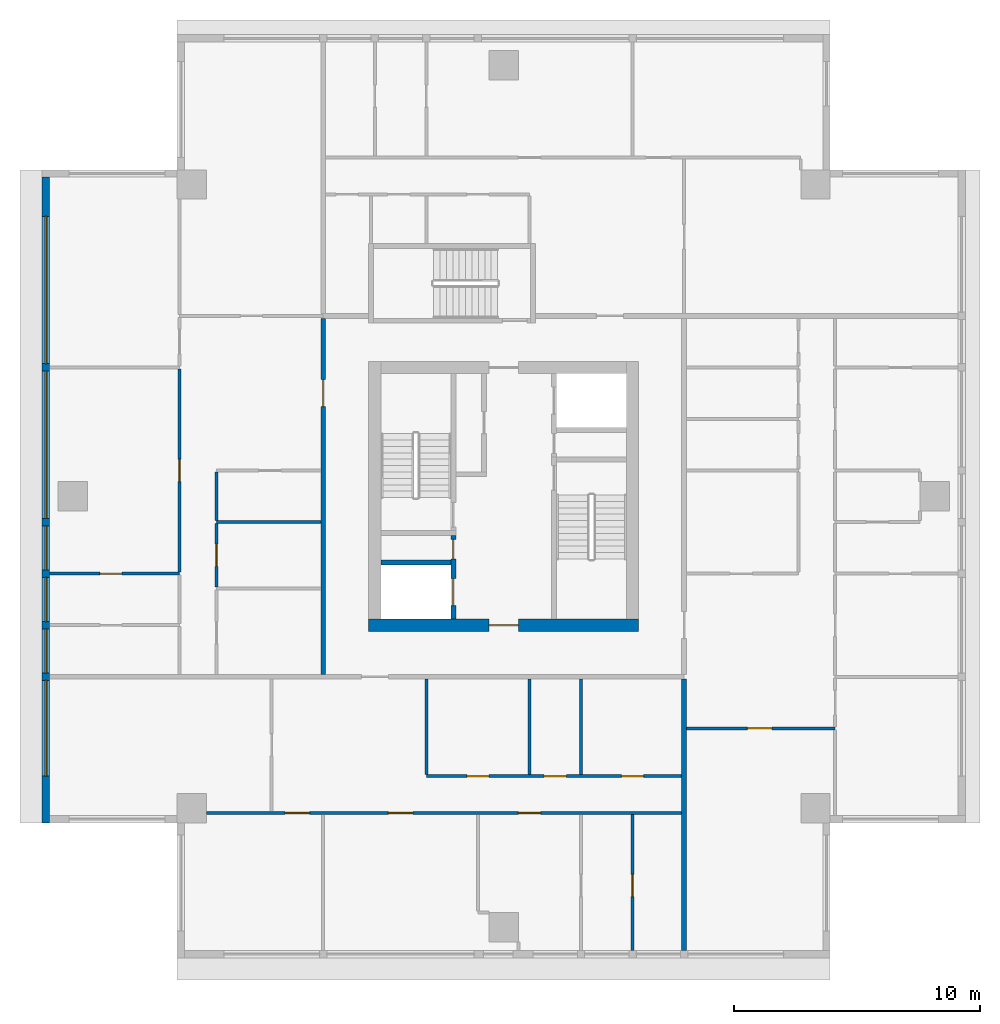
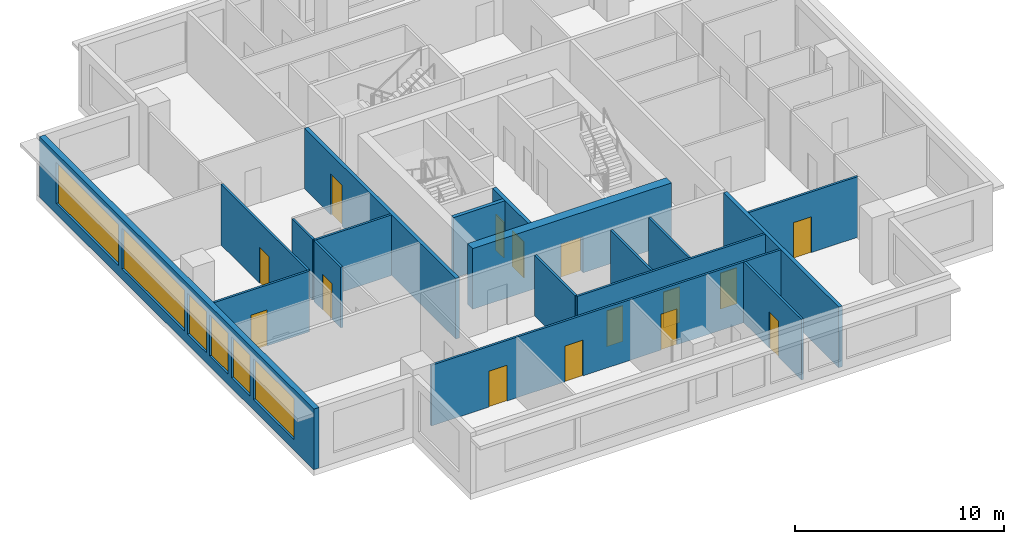
# One storey, part 2 of 8: 18 walls, 15 doors, 6 windows, 21 openings.
"""IFC4 building model written with IfcOpenShell, lengths in metres."""

from ifc_helpers import new_model, si_unit, direction, frame, frame_2d, origin, place, context, subcontext, project, spatial, rectangle, extrude, material, layer, layer_set, type_object, element, fill, save


model = new_model("IFC4")

# Units and contexts
model_context = context("Model", 3, precision=1e-05, world=origin(), true_north=direction((0.0, 1.0)))
body_context = subcontext(model_context, "Body", "Model", "MODEL_VIEW")
ifc_project = project(units=[si_unit("LENGTHUNIT", "METRE"), si_unit("AREAUNIT", "SQUARE_METRE"), si_unit("VOLUMEUNIT", "CUBIC_METRE"), si_unit("PLANEANGLEUNIT", "RADIAN"), si_unit("MASSUNIT", "GRAM", prefix="KILO")], contexts=[model_context])

# Site, building, storey
site_placement = place(None, origin())
site = spatial("IfcSite", under=ifc_project, at=site_placement, CompositionType="ELEMENT")
building_placement = place(site_placement, origin())
building = spatial("IfcBuilding", under=site, at=building_placement, Name="Khepri Terraces", CompositionType="ELEMENT")
storey_placement = place(building_placement, frame((0.0, 0.0, 304.5)))
storey = spatial("IfcBuildingStorey", under=building, at=storey_placement, Name="L73", CompositionType="ELEMENT", Elevation=304.5)

# Wall, openings, doors
ifc_material_1 = material(Name="Concrete C40/50", Category="concrete")
ifc_layer_1 = layer(ifc_material_1, 0.199951171875, Name="Concrete C40/50", Category="concrete")
ifc_layer_set_1 = layer_set([ifc_layer_1], Name="Concrete C40/50")
wall_type_1 = type_object("IfcWallType", Name="Core wall 200 C40/50", PredefinedType="SHEAR", material=ifc_layer_set_1)
wall_1_placement = place(storey_placement, frame((-2.050048828125, -5.0, 0.0), z_axis=(0.0, 0.0, 1.0), x_axis=(0.0, 1.0, 0.0)))
wall_1 = element("IfcWall", 1, at=wall_1_placement, inside=storey, type_object=wall_type_1, Name="Core wall SH01 L73", PredefinedType="SHEAR", context=body_context, shape_type="SweptSolid", body=[
    extrude(rectangle(XDim=3.39990234375, YDim=0.199951171875, at=frame_2d((1.699951171875, 0.0))), origin(), (0.0, 0.0, 1.0), 3.550048828125),
])
opening_1_placement = place(wall_1_placement, frame((0.550048828125, 0.0, 0.0)))
opening_1 = element("IfcOpeningElement", 2, at=opening_1_placement, cuts=wall_1, Name="Opening L73-C02", PredefinedType="OPENING", context=body_context, shape_type="SweptSolid", body=[
    extrude(rectangle(XDim=1.10009765625, YDim=2.10009765625, at=frame_2d((0.550048828125, 1.050048828125))), frame((0.0, 0.10986328125, 0.0), z_axis=(0.0, -1.0, 0.0), x_axis=(1.0, 0.0, 0.0)), (0.0, 0.0, 1.0), 0.219970703125),
])
opening_2_placement = place(wall_1_placement, frame((2.449951171875, 0.0, 0.0)))
opening_2 = element("IfcOpeningElement", 3, at=opening_2_placement, cuts=wall_1, Name="Opening L73-C06", PredefinedType="OPENING", context=body_context, shape_type="SweptSolid", body=[
    extrude(rectangle(XDim=0.800048828125, YDim=2.10009765625, at=frame_2d((0.39990234375, 1.050048828125))), frame((0.0, 0.10986328125, 0.0), z_axis=(0.0, -1.0, 0.0), x_axis=(1.0, 0.0, 0.0)), (0.0, 0.0, 1.0), 0.219970703125),
])
ifc_material_2 = material(Name="Stainless steel 304", Category="steel")
door_type_1 = type_object("IfcDoorType", Name="DR-CORE-FF-LANDING-1100", OperationType="NOTDEFINED", PredefinedType="DOOR", material=ifc_material_2)
door_1_placement = place(opening_1_placement, origin())
door_1 = element("IfcDoor", 4, at=door_1_placement, inside=storey, type_object=door_type_1, Name="Firefighting lift landing door L73-C02", OperationType="SLIDING_TO_LEFT", OverallHeight=2.10009765625, OverallWidth=1.10009765625, PredefinedType="DOOR", context=body_context, shape_type="SweptSolid", body=[
    extrude(rectangle(XDim=1.10009765625, YDim=2.10009765625, at=frame_2d((0.550048828125, 1.050048828125))), frame((0.0, 0.02490234375, 0.0), z_axis=(0.0, -1.0, 0.0), x_axis=(1.0, 0.0, 0.0)), (0.0, 0.0, 1.0), 0.050048828125),
])
fill(opening_1, door_1)
ifc_material_3 = material(Name="Painted steel", Category="steel")
door_type_2 = type_object("IfcDoorType", Name="DR-CORE-RISER-800", OperationType="NOTDEFINED", PredefinedType="DOOR", material=ifc_material_3)
door_2_placement = place(opening_2_placement, origin())
door_2 = element("IfcDoor", 5, at=door_2_placement, inside=storey, type_object=door_type_2, Name="Riser door L73-C06", OperationType="SINGLE_SWING_RIGHT", OverallHeight=2.10009765625, OverallWidth=0.800048828125, PredefinedType="DOOR", context=body_context, shape_type="SweptSolid", body=[
    extrude(rectangle(XDim=0.800048828125, YDim=2.10009765625, at=frame_2d((0.39990234375, 1.050048828125))), frame((0.0, 0.02490234375, 0.0), z_axis=(0.0, -1.0, 0.0), x_axis=(1.0, 0.0, 0.0)), (0.0, 0.0, 1.0), 0.050048828125),
])
fill(opening_2, door_2)

# Wall
wall_2_placement = place(storey_placement, frame((-5.0, -2.699951171875, 0.0), z_axis=(0.0, 0.0, 1.0), x_axis=(1.0, 0.0, 0.0)))
element("IfcWall", 6, at=wall_2_placement, inside=storey, type_object=wall_type_1, Name="Core wall SH02 L73", PredefinedType="SHEAR", context=body_context, shape_type="SweptSolid", body=[
    extrude(rectangle(XDim=2.85009765625, YDim=0.199951171875, at=frame_2d((1.425048828125, 0.0))), origin(), (0.0, 0.0, 1.0), 3.550048828125),
])

# Wall, opening, door
ifc_layer_2 = layer(ifc_material_1, 0.5, Name="Concrete C40/50", Category="concrete")
ifc_layer_set_2 = layer_set([ifc_layer_2], Name="Concrete C40/50")
wall_type_2 = type_object("IfcWallType", Name="Core wall 500 C40/50", PredefinedType="SHEAR", material=ifc_layer_set_2)
wall_3_placement = place(storey_placement, frame((-5.5, -5.25, 0.0), z_axis=(0.0, 0.0, 1.0), x_axis=(1.0, 0.0, 0.0)))
wall_3 = element("IfcWall", 7, at=wall_3_placement, inside=storey, type_object=wall_type_2, Name="Core wall BX01 L73", PredefinedType="SHEAR", context=body_context, shape_type="SweptSolid", body=[
    extrude(rectangle(XDim=11.0, YDim=0.5, at=frame_2d((5.5, 0.0))), origin(), (0.0, 0.0, 1.0), 3.550048828125),
])
opening_3_placement = place(wall_3_placement, frame((4.89990234375, 0.0, 0.0)))
opening_3 = element("IfcOpeningElement", 8, at=opening_3_placement, cuts=wall_3, Name="Opening L73-C10", PredefinedType="OPENING", context=body_context, shape_type="SweptSolid", body=[
    extrude(rectangle(XDim=1.199951171875, YDim=2.10009765625, at=frame_2d((0.60009765625, 1.050048828125))), frame((0.0, 0.260009765625, 0.0), z_axis=(0.0, -1.0, 0.0), x_axis=(1.0, 0.0, 0.0)), (0.0, 0.0, 1.0), 0.52001953125),
])
door_type_3 = type_object("IfcDoorType", Name="DR-CORE-FF-LOBBY-1200", OperationType="NOTDEFINED", PredefinedType="DOOR", material=ifc_material_3)
door_3_placement = place(opening_3_placement, frame((1.199951171875, 0.0, 0.0), z_axis=(0.0, 0.0, 1.0), x_axis=(-1.0, 0.0, 0.0)))
door_3 = element("IfcDoor", 9, at=door_3_placement, inside=storey, type_object=door_type_3, Name="Firefighting lobby door L73-C10", OperationType="SINGLE_SWING_LEFT", OverallHeight=2.10009765625, OverallWidth=1.199951171875, PredefinedType="DOOR", context=body_context, shape_type="SweptSolid", body=[
    extrude(rectangle(XDim=1.199951171875, YDim=2.10009765625, at=frame_2d((0.60009765625, 1.050048828125))), frame((0.0, 0.02490234375, 0.0), z_axis=(0.0, -1.0, 0.0), x_axis=(1.0, 0.0, 0.0)), (0.0, 0.0, 1.0), 0.050048828125),
])
fill(opening_3, door_3)

# Wall
ifc_material_4 = material(Name="Fire-rated gypsum plasterboard partition, mineral wool")
ifc_layer_3 = layer(ifc_material_4, 0.199951171875, Name="Fire-rated gypsum plasterboard partition, mineral wool")
ifc_layer_set_3 = layer_set([ifc_layer_3], Name="Fire-rated gypsum plasterboard partition, mineral wool")
wall_type_3 = type_object("IfcWallType", Name="WL-CORR-200", PredefinedType="PARTITIONING", material=ifc_layer_set_3)
wall_4_placement = place(storey_placement, frame((7.35009765625, -18.5, 0.0), z_axis=(0.0, 0.0, 1.0), x_axis=(0.0, 1.0, 0.0)))
element("IfcWall", 10, at=wall_4_placement, inside=storey, type_object=wall_type_3, Name="Partition P-005 L73", PredefinedType="PARTITIONING", context=body_context, shape_type="SweptSolid", body=[
    extrude(rectangle(XDim=11.050048828125, YDim=0.199951171875, at=frame_2d((5.52490234375, 0.0))), origin(), (0.0, 0.0, 1.0), 3.550048828125),
])

# Wall, opening, door
wall_5_placement = place(storey_placement, frame((-7.35009765625, -7.25, 0.0), z_axis=(0.0, 0.0, 1.0), x_axis=(0.0, 1.0, 0.0)))
wall_5 = element("IfcWall", 11, at=wall_5_placement, inside=storey, type_object=wall_type_3, Name="Partition P-022 L73", PredefinedType="PARTITIONING", context=body_context, shape_type="SweptSolid", body=[
    extrude(rectangle(XDim=14.5, YDim=0.199951171875, at=frame_2d((7.25, 0.0))), origin(), (0.0, 0.0, 1.0), 3.550048828125),
])
opening_4_placement = place(wall_5_placement, frame((10.89990234375, 0.0, 0.0)))
opening_4 = element("IfcOpeningElement", 12, at=opening_4_placement, cuts=wall_5, Name="Opening D1", PredefinedType="OPENING", context=body_context, shape_type="SweptSolid", body=[
    extrude(rectangle(XDim=1.10009765625, YDim=2.39990234375, at=frame_2d((0.550048828125, 1.199951171875))), frame((0.0, 0.10986328125, 0.0), z_axis=(0.0, -1.0, 0.0), x_axis=(1.0, 0.0, 0.0)), (0.0, 0.0, 1.0), 0.219970703125),
])
ifc_material_5 = material(Name="Solid-core timber door leaf, flat entrance door", Category="wood")
door_type_4 = type_object("IfcDoorType", Name="DR-ENT-1100", OperationType="NOTDEFINED", PredefinedType="DOOR", material=ifc_material_5)
door_4_placement = place(opening_4_placement, origin())
door_4 = element("IfcDoor", 13, at=door_4_placement, inside=storey, type_object=door_type_4, Name="Flat D1 entrance door", OperationType="SINGLE_SWING_RIGHT", OverallHeight=2.39990234375, OverallWidth=1.10009765625, PredefinedType="DOOR", context=body_context, shape_type="SweptSolid", body=[
    extrude(rectangle(XDim=1.10009765625, YDim=2.39990234375, at=frame_2d((0.550048828125, 1.199951171875))), frame((0.0, 0.02490234375, 0.0), z_axis=(0.0, -1.0, 0.0), x_axis=(1.0, 0.0, 0.0)), (0.0, 0.0, 1.0), 0.050048828125),
])
fill(opening_4, door_4)

# Wall, openings, windows
ifc_material_6 = material(Name="Precast concrete C50/60 warm stone", Category="masonry")
ifc_layer_4 = layer(ifc_material_6, 0.300048828125, Name="Precast concrete C50/60 warm stone", Category="masonry")
ifc_layer_set_4 = layer_set([ifc_layer_4], Name="Precast concrete C50/60 warm stone")
wall_type_4 = type_object("IfcWallType", Name="WL-EXT-PRECAST-300", PredefinedType="STANDARD", material=ifc_layer_set_4)
wall_6_placement = place(storey_placement, frame((-18.64990234375, 13.0, 0.0), z_axis=(0.0, 0.0, 1.0), x_axis=(0.0, -1.0, 0.0)))
wall_6 = element("IfcWall", 14, at=wall_6_placement, inside=storey, type_object=wall_type_4, Name="External wall L73 W", PredefinedType="STANDARD", context=body_context, shape_type="SweptSolid", body=[
    extrude(rectangle(XDim=26.300048828125, YDim=0.300048828125, at=frame_2d((13.14990234375, 0.0))), origin(), (0.0, 0.0, 1.0), 3.550048828125),
])
opening_5_placement = place(wall_6_placement, frame((1.60009765625, 0.0, 0.60009765625)))
opening_5 = element("IfcOpeningElement", 15, at=opening_5_placement, cuts=wall_6, Name="Opening WC3", PredefinedType="OPENING", context=body_context, shape_type="SweptSolid", body=[
    extrude(rectangle(XDim=6.0, YDim=2.39990234375, at=frame_2d((3.0, 1.199951171875))), frame((0.0, 0.16015625, 0.0), z_axis=(0.0, -1.0, 0.0), x_axis=(1.0, 0.0, 0.0)), (0.0, 0.0, 1.0), 0.320068359375),
])
opening_6_placement = place(wall_6_placement, frame((7.89990234375, 0.0, 0.60009765625)))
opening_6 = element("IfcOpeningElement", 16, at=opening_6_placement, cuts=wall_6, Name="Opening WC3", PredefinedType="OPENING", context=body_context, shape_type="SweptSolid", body=[
    extrude(rectangle(XDim=6.0, YDim=2.39990234375, at=frame_2d((3.0, 1.199951171875))), frame((0.0, 0.16015625, 0.0), z_axis=(0.0, -1.0, 0.0), x_axis=(1.0, 0.0, 0.0)), (0.0, 0.0, 1.0), 0.320068359375),
])
opening_7_placement = place(wall_6_placement, frame((14.199951171875, 0.0, 0.60009765625)))
opening_7 = element("IfcOpeningElement", 17, at=opening_7_placement, cuts=wall_6, Name="Opening WC1", PredefinedType="OPENING", context=body_context, shape_type="SweptSolid", body=[
    extrude(rectangle(XDim=1.800048828125, YDim=2.39990234375, at=frame_2d((0.89990234375, 1.199951171875))), frame((0.0, 0.16015625, 0.0), z_axis=(0.0, -1.0, 0.0), x_axis=(1.0, 0.0, 0.0)), (0.0, 0.0, 1.0), 0.320068359375),
])
opening_8_placement = place(wall_6_placement, frame((16.300048828125, 0.0, 0.60009765625)))
opening_8 = element("IfcOpeningElement", 18, at=opening_8_placement, cuts=wall_6, Name="Opening WC1", PredefinedType="OPENING", context=body_context, shape_type="SweptSolid", body=[
    extrude(rectangle(XDim=1.800048828125, YDim=2.39990234375, at=frame_2d((0.89990234375, 1.199951171875))), frame((0.0, 0.16015625, 0.0), z_axis=(0.0, -1.0, 0.0), x_axis=(1.0, 0.0, 0.0)), (0.0, 0.0, 1.0), 0.320068359375),
])
opening_9_placement = place(wall_6_placement, frame((18.39990234375, 0.0, 0.60009765625)))
opening_9 = element("IfcOpeningElement", 19, at=opening_9_placement, cuts=wall_6, Name="Opening WC1", PredefinedType="OPENING", context=body_context, shape_type="SweptSolid", body=[
    extrude(rectangle(XDim=1.800048828125, YDim=2.39990234375, at=frame_2d((0.89990234375, 1.199951171875))), frame((0.0, 0.16015625, 0.0), z_axis=(0.0, -1.0, 0.0), x_axis=(1.0, 0.0, 0.0)), (0.0, 0.0, 1.0), 0.320068359375),
])
opening_10_placement = place(wall_6_placement, frame((20.5, 0.0, 0.60009765625)))
opening_10 = element("IfcOpeningElement", 20, at=opening_10_placement, cuts=wall_6, Name="Opening WC2", PredefinedType="OPENING", context=body_context, shape_type="SweptSolid", body=[
    extrude(rectangle(XDim=3.89990234375, YDim=2.39990234375, at=frame_2d((1.949951171875, 1.199951171875))), frame((0.0, 0.16015625, 0.0), z_axis=(0.0, -1.0, 0.0), x_axis=(1.0, 0.0, 0.0)), (0.0, 0.0, 1.0), 0.320068359375),
])
ifc_material_7 = material(Name="Clear glass", Category="glass")
window_type_1 = type_object("IfcWindowType", Name="WIN-CRN-1800x2400", PartitioningType="SINGLE_PANEL", PredefinedType="WINDOW", material=ifc_material_7)
window_1_placement = place(opening_7_placement, origin())
window_1 = element("IfcWindow", 21, at=window_1_placement, inside=storey, type_object=window_type_1, Name="Window L73 W", OverallHeight=2.39990234375, OverallWidth=1.800048828125, PartitioningType="SINGLE_PANEL", PredefinedType="WINDOW", context=body_context, shape_type="SweptSolid", body=[
    extrude(rectangle(XDim=1.800048828125, YDim=2.39990234375, at=frame_2d((0.89990234375, 1.199951171875))), frame((0.0, 0.030029296875, 0.0), z_axis=(0.0, -1.0, 0.0), x_axis=(1.0, 0.0, 0.0)), (0.0, 0.0, 1.0), 0.06005859375),
])
fill(opening_7, window_1)
window_2_placement = place(opening_8_placement, origin())
window_2 = element("IfcWindow", 22, at=window_2_placement, inside=storey, type_object=window_type_1, Name="Window L73 W", OverallHeight=2.39990234375, OverallWidth=1.800048828125, PartitioningType="SINGLE_PANEL", PredefinedType="WINDOW", context=body_context, shape_type="SweptSolid", body=[
    extrude(rectangle(XDim=1.800048828125, YDim=2.39990234375, at=frame_2d((0.89990234375, 1.199951171875))), frame((0.0, 0.030029296875, 0.0), z_axis=(0.0, -1.0, 0.0), x_axis=(1.0, 0.0, 0.0)), (0.0, 0.0, 1.0), 0.06005859375),
])
fill(opening_8, window_2)
window_3_placement = place(opening_9_placement, origin())
window_3 = element("IfcWindow", 23, at=window_3_placement, inside=storey, type_object=window_type_1, Name="Window L73 W", OverallHeight=2.39990234375, OverallWidth=1.800048828125, PartitioningType="SINGLE_PANEL", PredefinedType="WINDOW", context=body_context, shape_type="SweptSolid", body=[
    extrude(rectangle(XDim=1.800048828125, YDim=2.39990234375, at=frame_2d((0.89990234375, 1.199951171875))), frame((0.0, 0.030029296875, 0.0), z_axis=(0.0, -1.0, 0.0), x_axis=(1.0, 0.0, 0.0)), (0.0, 0.0, 1.0), 0.06005859375),
])
fill(opening_9, window_3)
window_type_2 = type_object("IfcWindowType", Name="WIN-CRN-3900x2400", PartitioningType="SINGLE_PANEL", PredefinedType="WINDOW", material=ifc_material_7)
window_4_placement = place(opening_10_placement, origin())
window_4 = element("IfcWindow", 24, at=window_4_placement, inside=storey, type_object=window_type_2, Name="Window L73 W", OverallHeight=2.39990234375, OverallWidth=3.89990234375, PartitioningType="SINGLE_PANEL", PredefinedType="WINDOW", context=body_context, shape_type="SweptSolid", body=[
    extrude(rectangle(XDim=3.89990234375, YDim=2.39990234375, at=frame_2d((1.949951171875, 1.199951171875))), frame((0.0, 0.030029296875, 0.0), z_axis=(0.0, -1.0, 0.0), x_axis=(1.0, 0.0, 0.0)), (0.0, 0.0, 1.0), 0.06005859375),
])
fill(opening_10, window_4)
window_type_3 = type_object("IfcWindowType", Name="WIN-CRN-6000x2400", PartitioningType="SINGLE_PANEL", PredefinedType="WINDOW", material=ifc_material_7)
window_5_placement = place(opening_5_placement, origin())
window_5 = element("IfcWindow", 25, at=window_5_placement, inside=storey, type_object=window_type_3, Name="Window L73 W", OverallHeight=2.39990234375, OverallWidth=6.0, PartitioningType="SINGLE_PANEL", PredefinedType="WINDOW", context=body_context, shape_type="SweptSolid", body=[
    extrude(rectangle(XDim=6.0, YDim=2.39990234375, at=frame_2d((3.0, 1.199951171875))), frame((0.0, 0.030029296875, 0.0), z_axis=(0.0, -1.0, 0.0), x_axis=(1.0, 0.0, 0.0)), (0.0, 0.0, 1.0), 0.06005859375),
])
fill(opening_5, window_5)
window_6_placement = place(opening_6_placement, origin())
window_6 = element("IfcWindow", 26, at=window_6_placement, inside=storey, type_object=window_type_3, Name="Window L73 W", OverallHeight=2.39990234375, OverallWidth=6.0, PartitioningType="SINGLE_PANEL", PredefinedType="WINDOW", context=body_context, shape_type="SweptSolid", body=[
    extrude(rectangle(XDim=6.0, YDim=2.39990234375, at=frame_2d((3.0, 1.199951171875))), frame((0.0, 0.030029296875, 0.0), z_axis=(0.0, -1.0, 0.0), x_axis=(1.0, 0.0, 0.0)), (0.0, 0.0, 1.0), 0.06005859375),
])
fill(opening_6, window_6)

# Wall, opening, door
ifc_material_8 = material(Name="Gypsum plasterboard partition")
ifc_layer_5 = layer(ifc_material_8, 0.1201171875, Name="Gypsum plasterboard partition")
ifc_layer_set_5 = layer_set([ifc_layer_5], Name="Gypsum plasterboard partition")
wall_type_5 = type_object("IfcWallType", Name="WL-PART-120", PredefinedType="PARTITIONING", material=ifc_layer_set_5)
wall_7_placement = place(storey_placement, frame((5.25, -18.5, 0.0), z_axis=(0.0, 0.0, 1.0), x_axis=(0.0, 1.0, 0.0)))
wall_7 = element("IfcWall", 27, at=wall_7_placement, inside=storey, type_object=wall_type_5, Name="Partition P-004 L73", PredefinedType="PARTITIONING", context=body_context, shape_type="SweptSolid", body=[
    extrude(rectangle(XDim=5.5400390625, YDim=0.1201171875, at=frame_2d((2.77001953125, 0.0))), origin(), (0.0, 0.0, 1.0), 3.550048828125),
])
opening_11_placement = place(wall_7_placement, frame((2.199951171875, 0.0, 0.0)))
opening_11 = element("IfcOpeningElement", 28, at=opening_11_placement, cuts=wall_7, Name="Opening D4", PredefinedType="OPENING", context=body_context, shape_type="SweptSolid", body=[
    extrude(rectangle(XDim=0.89990234375, YDim=2.10009765625, at=frame_2d((0.449951171875, 1.050048828125))), frame((0.0, 0.070068359375, 0.0), z_axis=(0.0, -1.0, 0.0), x_axis=(1.0, 0.0, 0.0)), (0.0, 0.0, 1.0), 0.14013671875),
])
ifc_material_9 = material(Name="Timber door leaf, moisture resistant", Category="wood")
door_type_5 = type_object("IfcDoorType", Name="DR-WET-900", OperationType="NOTDEFINED", PredefinedType="DOOR", material=ifc_material_9)
door_5_placement = place(opening_11_placement, frame((0.89990234375, 0.0, 0.0), z_axis=(0.0, 0.0, 1.0), x_axis=(-1.0, 0.0, 0.0)))
door_5 = element("IfcDoor", 29, at=door_5_placement, inside=storey, type_object=door_type_5, Name="Door Bathroom", OperationType="SINGLE_SWING_RIGHT", OverallHeight=2.10009765625, OverallWidth=0.89990234375, PredefinedType="DOOR", context=body_context, shape_type="SweptSolid", body=[
    extrude(rectangle(XDim=0.89990234375, YDim=2.10009765625, at=frame_2d((0.449951171875, 1.050048828125))), frame((0.0, 0.02490234375, 0.0), z_axis=(0.0, -1.0, 0.0), x_axis=(1.0, 0.0, 0.0)), (0.0, 0.0, 1.0), 0.050048828125),
])
fill(opening_11, door_5)

# Wall, openings, doors
wall_8_placement = place(storey_placement, frame((-12.10009765625, -12.89990234375, 0.0), z_axis=(0.0, 0.0, 1.0), x_axis=(1.0, 0.0, 0.0)))
wall_8 = element("IfcWall", 30, at=wall_8_placement, inside=storey, type_object=wall_type_5, Name="Partition P-009 L73", PredefinedType="PARTITIONING", context=body_context, shape_type="SweptSolid", body=[
    extrude(rectangle(XDim=19.35009765625, YDim=0.1201171875, at=frame_2d((9.675048828125, 0.0))), origin(), (0.0, 0.0, 1.0), 3.550048828125),
])
opening_12_placement = place(wall_8_placement, frame((3.199951171875, 0.0, 0.0)))
opening_12 = element("IfcOpeningElement", 31, at=opening_12_placement, cuts=wall_8, Name="Opening D2", PredefinedType="OPENING", context=body_context, shape_type="SweptSolid", body=[
    extrude(rectangle(XDim=1.0, YDim=2.10009765625, at=frame_2d((0.5, 1.050048828125))), frame((0.0, 0.070068359375, 0.0), z_axis=(0.0, -1.0, 0.0), x_axis=(1.0, 0.0, 0.0)), (0.0, 0.0, 1.0), 0.14013671875),
])
opening_13_placement = place(wall_8_placement, frame((7.39990234375, 0.0, 0.0)))
opening_13 = element("IfcOpeningElement", 32, at=opening_13_placement, cuts=wall_8, Name="Opening D2", PredefinedType="OPENING", context=body_context, shape_type="SweptSolid", body=[
    extrude(rectangle(XDim=1.0, YDim=2.10009765625, at=frame_2d((0.5, 1.050048828125))), frame((0.0, 0.070068359375, 0.0), z_axis=(0.0, -1.0, 0.0), x_axis=(1.0, 0.0, 0.0)), (0.0, 0.0, 1.0), 0.14013671875),
])
opening_14_placement = place(wall_8_placement, frame((12.699951171875, 0.0, 0.0)))
opening_14 = element("IfcOpeningElement", 33, at=opening_14_placement, cuts=wall_8, Name="Opening D3", PredefinedType="OPENING", context=body_context, shape_type="SweptSolid", body=[
    extrude(rectangle(XDim=0.89990234375, YDim=2.10009765625, at=frame_2d((0.449951171875, 1.050048828125))), frame((0.0, 0.070068359375, 0.0), z_axis=(0.0, -1.0, 0.0), x_axis=(1.0, 0.0, 0.0)), (0.0, 0.0, 1.0), 0.14013671875),
])
ifc_material_10 = material(Name="Timber door leaf, living room door", Category="wood")
door_type_6 = type_object("IfcDoorType", Name="DR-INT-1000", OperationType="NOTDEFINED", PredefinedType="DOOR", material=ifc_material_10)
door_6_placement = place(opening_12_placement, frame((1.0, 0.0, 0.0), z_axis=(0.0, 0.0, 1.0), x_axis=(-1.0, 0.0, 0.0)))
door_6 = element("IfcDoor", 34, at=door_6_placement, inside=storey, type_object=door_type_6, Name="Door Living Room", OperationType="SINGLE_SWING_RIGHT", OverallHeight=2.10009765625, OverallWidth=1.0, PredefinedType="DOOR", context=body_context, shape_type="SweptSolid", body=[
    extrude(rectangle(XDim=1.0, YDim=2.10009765625, at=frame_2d((0.5, 1.050048828125))), frame((0.0, 0.02490234375, 0.0), z_axis=(0.0, -1.0, 0.0), x_axis=(1.0, 0.0, 0.0)), (0.0, 0.0, 1.0), 0.050048828125),
])
fill(opening_12, door_6)
door_7_placement = place(opening_13_placement, frame((1.0, 0.0, 0.0), z_axis=(0.0, 0.0, 1.0), x_axis=(-1.0, 0.0, 0.0)))
door_7 = element("IfcDoor", 35, at=door_7_placement, inside=storey, type_object=door_type_6, Name="Door Dining Room", OperationType="SINGLE_SWING_RIGHT", OverallHeight=2.10009765625, OverallWidth=1.0, PredefinedType="DOOR", context=body_context, shape_type="SweptSolid", body=[
    extrude(rectangle(XDim=1.0, YDim=2.10009765625, at=frame_2d((0.5, 1.050048828125))), frame((0.0, 0.02490234375, 0.0), z_axis=(0.0, -1.0, 0.0), x_axis=(1.0, 0.0, 0.0)), (0.0, 0.0, 1.0), 0.050048828125),
])
fill(opening_13, door_7)
ifc_material_11 = material(Name="Timber door leaf", Category="wood")
door_type_7 = type_object("IfcDoorType", Name="DR-INT-900", OperationType="NOTDEFINED", PredefinedType="DOOR", material=ifc_material_11)
door_8_placement = place(opening_14_placement, frame((0.89990234375, 0.0, 0.0), z_axis=(0.0, 0.0, 1.0), x_axis=(-1.0, 0.0, 0.0)))
door_8 = element("IfcDoor", 36, at=door_8_placement, inside=storey, type_object=door_type_7, Name="Door Master Bedroom", OperationType="SINGLE_SWING_LEFT", OverallHeight=2.10009765625, OverallWidth=0.89990234375, PredefinedType="DOOR", context=body_context, shape_type="SweptSolid", body=[
    extrude(rectangle(XDim=0.89990234375, YDim=2.10009765625, at=frame_2d((0.449951171875, 1.050048828125))), frame((0.0, 0.02490234375, 0.0), z_axis=(0.0, -1.0, 0.0), x_axis=(1.0, 0.0, 0.0)), (0.0, 0.0, 1.0), 0.050048828125),
])
fill(opening_14, door_8)

wall_9_placement = place(storey_placement, frame((-3.14990234375, -11.39990234375, 0.0), z_axis=(0.0, 0.0, 1.0), x_axis=(1.0, 0.0, 0.0)))
wall_9 = element("IfcWall", 37, at=wall_9_placement, inside=storey, type_object=wall_type_5, Name="Partition P-011 L73", PredefinedType="PARTITIONING", context=body_context, shape_type="SweptSolid", body=[
    extrude(rectangle(XDim=10.39990234375, YDim=0.1201171875, at=frame_2d((5.199951171875, 0.0))), origin(), (0.0, 0.0, 1.0), 3.550048828125),
])
opening_15_placement = place(wall_9_placement, frame((1.64990234375, 0.0, 0.0)))
opening_15 = element("IfcOpeningElement", 38, at=opening_15_placement, cuts=wall_9, Name="Opening D3", PredefinedType="OPENING", context=body_context, shape_type="SweptSolid", body=[
    extrude(rectangle(XDim=0.89990234375, YDim=2.10009765625, at=frame_2d((0.449951171875, 1.050048828125))), frame((0.0, 0.070068359375, 0.0), z_axis=(0.0, -1.0, 0.0), x_axis=(1.0, 0.0, 0.0)), (0.0, 0.0, 1.0), 0.14013671875),
])
opening_16_placement = place(wall_9_placement, frame((4.800048828125, 0.0, 0.0)))
opening_16 = element("IfcOpeningElement", 39, at=opening_16_placement, cuts=wall_9, Name="Opening D4", PredefinedType="OPENING", context=body_context, shape_type="SweptSolid", body=[
    extrude(rectangle(XDim=0.89990234375, YDim=2.10009765625, at=frame_2d((0.449951171875, 1.050048828125))), frame((0.0, 0.070068359375, 0.0), z_axis=(0.0, -1.0, 0.0), x_axis=(1.0, 0.0, 0.0)), (0.0, 0.0, 1.0), 0.14013671875),
])
opening_17_placement = place(wall_9_placement, frame((7.949951171875, 0.0, 0.0)))
opening_17 = element("IfcOpeningElement", 40, at=opening_17_placement, cuts=wall_9, Name="Opening D3", PredefinedType="OPENING", context=body_context, shape_type="SweptSolid", body=[
    extrude(rectangle(XDim=0.89990234375, YDim=2.10009765625, at=frame_2d((0.449951171875, 1.050048828125))), frame((0.0, 0.070068359375, 0.0), z_axis=(0.0, -1.0, 0.0), x_axis=(1.0, 0.0, 0.0)), (0.0, 0.0, 1.0), 0.14013671875),
])
door_9_placement = place(opening_15_placement, origin())
door_9 = element("IfcDoor", 41, at=door_9_placement, inside=storey, type_object=door_type_7, Name="Door Kitchen", OperationType="SINGLE_SWING_LEFT", OverallHeight=2.10009765625, OverallWidth=0.89990234375, PredefinedType="DOOR", context=body_context, shape_type="SweptSolid", body=[
    extrude(rectangle(XDim=0.89990234375, YDim=2.10009765625, at=frame_2d((0.449951171875, 1.050048828125))), frame((0.0, 0.02490234375, 0.0), z_axis=(0.0, -1.0, 0.0), x_axis=(1.0, 0.0, 0.0)), (0.0, 0.0, 1.0), 0.050048828125),
])
fill(opening_15, door_9)
door_10_placement = place(opening_17_placement, origin())
door_10 = element("IfcDoor", 42, at=door_10_placement, inside=storey, type_object=door_type_7, Name="Door Staff Bedroom", OperationType="SINGLE_SWING_RIGHT", OverallHeight=2.10009765625, OverallWidth=0.89990234375, PredefinedType="DOOR", context=body_context, shape_type="SweptSolid", body=[
    extrude(rectangle(XDim=0.89990234375, YDim=2.10009765625, at=frame_2d((0.449951171875, 1.050048828125))), frame((0.0, 0.02490234375, 0.0), z_axis=(0.0, -1.0, 0.0), x_axis=(1.0, 0.0, 0.0)), (0.0, 0.0, 1.0), 0.050048828125),
])
fill(opening_17, door_10)
door_11_placement = place(opening_16_placement, origin())
door_11 = element("IfcDoor", 43, at=door_11_placement, inside=storey, type_object=door_type_5, Name="Door Guest Bathroom", OperationType="SINGLE_SWING_RIGHT", OverallHeight=2.10009765625, OverallWidth=0.89990234375, PredefinedType="DOOR", context=body_context, shape_type="SweptSolid", body=[
    extrude(rectangle(XDim=0.89990234375, YDim=2.10009765625, at=frame_2d((0.449951171875, 1.050048828125))), frame((0.0, 0.02490234375, 0.0), z_axis=(0.0, -1.0, 0.0), x_axis=(1.0, 0.0, 0.0)), (0.0, 0.0, 1.0), 0.050048828125),
])
fill(opening_16, door_11)

# Walls
for number, where, z_axis, x_axis, name in (
    (44, (-3.14990234375, -11.340087890625, 0.0), (0.0, 0.0, 1.0), (0.0, 1.0, 0.0), "Partition P-012 L73"),
    (45, (1.050048828125, -11.340087890625, 0.0), (0.0, 0.0, 1.0), (0.0, 1.0, 0.0), "Partition P-013 L73"),
    (46, (3.14990234375, -11.340087890625, 0.0), (0.0, 0.0, 1.0), (0.0, 1.0, 0.0), "Partition P-014 L73"),
):
    element("IfcWall", number, at=place(storey_placement, frame(where, z_axis=z_axis, x_axis=x_axis)), inside=storey, type_object=wall_type_5, Name=name, PredefinedType="PARTITIONING", context=body_context, shape_type="SweptSolid", body=[
        extrude(rectangle(XDim=3.89013671875, YDim=0.1201171875, at=frame_2d((1.945068359375, 0.0))), origin(), (0.0, 0.0, 1.0), 3.550048828125),
    ])

# Wall, opening, door
wall_10_placement = place(storey_placement, frame((7.449951171875, -9.449951171875, 0.0), z_axis=(0.0, 0.0, 1.0), x_axis=(1.0, 0.0, 0.0)))
wall_10 = element("IfcWall", 47, at=wall_10_placement, inside=storey, type_object=wall_type_5, Name="Partition P-015 L73", PredefinedType="PARTITIONING", context=body_context, shape_type="SweptSolid", body=[
    extrude(rectangle(XDim=6.050048828125, YDim=0.1201171875, at=frame_2d((3.02490234375, 0.0))), origin(), (0.0, 0.0, 1.0), 3.550048828125),
])
opening_18_placement = place(wall_10_placement, frame((2.47509765625, 0.0, 0.0)))
opening_18 = element("IfcOpeningElement", 48, at=opening_18_placement, cuts=wall_10, Name="Opening D2", PredefinedType="OPENING", context=body_context, shape_type="SweptSolid", body=[
    extrude(rectangle(XDim=1.0, YDim=2.10009765625, at=frame_2d((0.5, 1.050048828125))), frame((0.0, 0.070068359375, 0.0), z_axis=(0.0, -1.0, 0.0), x_axis=(1.0, 0.0, 0.0)), (0.0, 0.0, 1.0), 0.14013671875),
])
door_12_placement = place(opening_18_placement, frame((1.0, 0.0, 0.0), z_axis=(0.0, 0.0, 1.0), x_axis=(-1.0, 0.0, 0.0)))
door_12 = element("IfcDoor", 49, at=door_12_placement, inside=storey, type_object=door_type_6, Name="Door Family Room", OperationType="SINGLE_SWING_RIGHT", OverallHeight=2.10009765625, OverallWidth=1.0, PredefinedType="DOOR", context=body_context, shape_type="SweptSolid", body=[
    extrude(rectangle(XDim=1.0, YDim=2.10009765625, at=frame_2d((0.5, 1.050048828125))), frame((0.0, 0.02490234375, 0.0), z_axis=(0.0, -1.0, 0.0), x_axis=(1.0, 0.0, 0.0)), (0.0, 0.0, 1.0), 0.050048828125),
])
fill(opening_18, door_12)

wall_11_placement = place(storey_placement, frame((-11.699951171875, -3.68994140625, 0.0), z_axis=(0.0, 0.0, 1.0), x_axis=(0.0, 1.0, 0.0)))
wall_11 = element("IfcWall", 50, at=wall_11_placement, inside=storey, type_object=wall_type_5, Name="Partition P-027 L73", PredefinedType="PARTITIONING", context=body_context, shape_type="SweptSolid", body=[
    extrude(rectangle(XDim=2.579833984375, YDim=0.1201171875, at=frame_2d((1.2900390625, 0.0))), origin(), (0.0, 0.0, 1.0), 3.550048828125),
])
opening_19_placement = place(wall_11_placement, frame((0.840087890625, 0.0, 0.0)))
opening_19 = element("IfcOpeningElement", 51, at=opening_19_placement, cuts=wall_11, Name="Opening D3", PredefinedType="OPENING", context=body_context, shape_type="SweptSolid", body=[
    extrude(rectangle(XDim=0.89990234375, YDim=2.10009765625, at=frame_2d((0.449951171875, 1.050048828125))), frame((0.0, 0.070068359375, 0.0), z_axis=(0.0, -1.0, 0.0), x_axis=(1.0, 0.0, 0.0)), (0.0, 0.0, 1.0), 0.14013671875),
])
door_13_placement = place(opening_19_placement, frame((0.89990234375, 0.0, 0.0), z_axis=(0.0, 0.0, 1.0), x_axis=(-1.0, 0.0, 0.0)))
door_13 = element("IfcDoor", 52, at=door_13_placement, inside=storey, type_object=door_type_7, Name="Door Kitchen", OperationType="SINGLE_SWING_LEFT", OverallHeight=2.10009765625, OverallWidth=0.89990234375, PredefinedType="DOOR", context=body_context, shape_type="SweptSolid", body=[
    extrude(rectangle(XDim=0.89990234375, YDim=2.10009765625, at=frame_2d((0.449951171875, 1.050048828125))), frame((0.0, 0.02490234375, 0.0), z_axis=(0.0, -1.0, 0.0), x_axis=(1.0, 0.0, 0.0)), (0.0, 0.0, 1.0), 0.050048828125),
])
fill(opening_19, door_13)

wall_12_placement = place(storey_placement, frame((-18.5, -3.14990234375, 0.0), z_axis=(0.0, 0.0, 1.0), x_axis=(1.0, 0.0, 0.0)))
wall_12 = element("IfcWall", 53, at=wall_12_placement, inside=storey, type_object=wall_type_5, Name="Partition P-028 L73", PredefinedType="PARTITIONING", context=body_context, shape_type="SweptSolid", body=[
    extrude(rectangle(XDim=5.300048828125, YDim=0.1201171875, at=frame_2d((2.64990234375, 0.0))), origin(), (0.0, 0.0, 1.0), 3.550048828125),
])
opening_20_placement = place(wall_12_placement, frame((2.050048828125, 0.0, 0.0)))
opening_20 = element("IfcOpeningElement", 54, at=opening_20_placement, cuts=wall_12, Name="Opening D3", PredefinedType="OPENING", context=body_context, shape_type="SweptSolid", body=[
    extrude(rectangle(XDim=0.89990234375, YDim=2.10009765625, at=frame_2d((0.449951171875, 1.050048828125))), frame((0.0, 0.070068359375, 0.0), z_axis=(0.0, -1.0, 0.0), x_axis=(1.0, 0.0, 0.0)), (0.0, 0.0, 1.0), 0.14013671875),
])
door_14_placement = place(opening_20_placement, frame((0.89990234375, 0.0, 0.0), z_axis=(0.0, 0.0, 1.0), x_axis=(-1.0, 0.0, 0.0)))
door_14 = element("IfcDoor", 55, at=door_14_placement, inside=storey, type_object=door_type_7, Name="Door Dressing Room", OperationType="SINGLE_SWING_RIGHT", OverallHeight=2.10009765625, OverallWidth=0.89990234375, PredefinedType="DOOR", context=body_context, shape_type="SweptSolid", body=[
    extrude(rectangle(XDim=0.89990234375, YDim=2.10009765625, at=frame_2d((0.449951171875, 1.050048828125))), frame((0.0, 0.02490234375, 0.0), z_axis=(0.0, -1.0, 0.0), x_axis=(1.0, 0.0, 0.0)), (0.0, 0.0, 1.0), 0.050048828125),
])
fill(opening_20, door_14)

wall_13_placement = place(storey_placement, frame((-13.199951171875, -3.090087890625, 0.0), z_axis=(0.0, 0.0, 1.0), x_axis=(0.0, 1.0, 0.0)))
wall_13 = element("IfcWall", 56, at=wall_13_placement, inside=storey, type_object=wall_type_5, Name="Partition P-031 L73", PredefinedType="PARTITIONING", context=body_context, shape_type="SweptSolid", body=[
    extrude(rectangle(XDim=8.280029296875, YDim=0.1201171875, at=frame_2d((4.14013671875, 0.0))), origin(), (0.0, 0.0, 1.0), 3.550048828125),
])
opening_21_placement = place(wall_13_placement, frame((3.68994140625, 0.0, 0.0)))
opening_21 = element("IfcOpeningElement", 57, at=opening_21_placement, cuts=wall_13, Name="Opening D3", PredefinedType="OPENING", context=body_context, shape_type="SweptSolid", body=[
    extrude(rectangle(XDim=0.89990234375, YDim=2.10009765625, at=frame_2d((0.449951171875, 1.050048828125))), frame((0.0, 0.070068359375, 0.0), z_axis=(0.0, -1.0, 0.0), x_axis=(1.0, 0.0, 0.0)), (0.0, 0.0, 1.0), 0.14013671875),
])
door_15_placement = place(opening_21_placement, origin())
door_15 = element("IfcDoor", 58, at=door_15_placement, inside=storey, type_object=door_type_7, Name="Door Master Bedroom", OperationType="SINGLE_SWING_LEFT", OverallHeight=2.10009765625, OverallWidth=0.89990234375, PredefinedType="DOOR", context=body_context, shape_type="SweptSolid", body=[
    extrude(rectangle(XDim=0.89990234375, YDim=2.10009765625, at=frame_2d((0.449951171875, 1.050048828125))), frame((0.0, 0.02490234375, 0.0), z_axis=(0.0, -1.0, 0.0), x_axis=(1.0, 0.0, 0.0)), (0.0, 0.0, 1.0), 0.050048828125),
])
fill(opening_21, door_15)

# Walls
wall_14_placement = place(storey_placement, frame((-11.699951171875, -1.050048828125, 0.0), z_axis=(0.0, 0.0, 1.0), x_axis=(1.0, 0.0, 0.0)))
element("IfcWall", 59, at=wall_14_placement, inside=storey, type_object=wall_type_5, Name="Partition P-034 L73", PredefinedType="PARTITIONING", context=body_context, shape_type="SweptSolid", body=[
    extrude(rectangle(XDim=4.25, YDim=0.1201171875, at=frame_2d((2.125, 0.0))), origin(), (0.0, 0.0, 1.0), 3.550048828125),
])
wall_15_placement = place(storey_placement, frame((-11.699951171875, -0.989990234375, 0.0), z_axis=(0.0, 0.0, 1.0), x_axis=(0.0, 1.0, 0.0)))
element("IfcWall", 60, at=wall_15_placement, inside=storey, type_object=wall_type_5, Name="Partition P-036 L73", PredefinedType="PARTITIONING", context=body_context, shape_type="SweptSolid", body=[
    extrude(rectangle(XDim=1.97998046875, YDim=0.1201171875, at=frame_2d((0.989990234375, 0.0))), origin(), (0.0, 0.0, 1.0), 3.550048828125),
])

save(model, "model.ifc")
